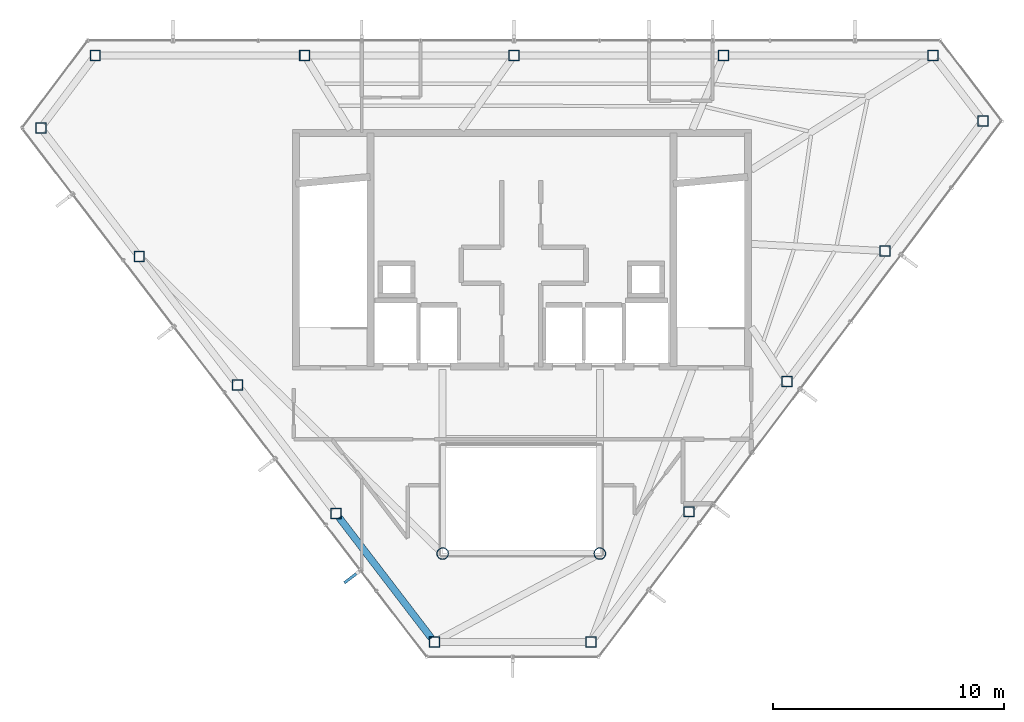
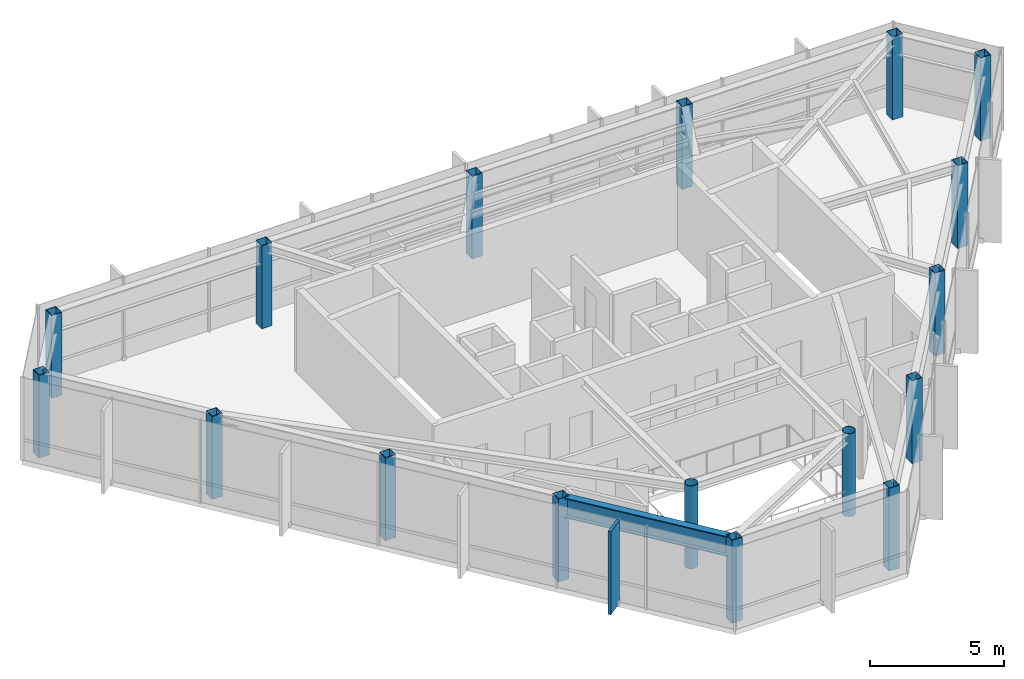
# One storey, part 1 of 21: 17 columns, 1 beam, 1 member, 1 element without a shape of its own.
"""IFC4 building model written with IfcOpenShell, lengths in metres."""

from ifc_helpers import new_model, si_unit, direction, frame, origin, origin_2d, place, context, subcontext, project, spatial, rectangle, hollow_rectangle, hollow_circle, i_section, extrude, material, layer, layer_set, material_profile, profile_set, type_object, element, aggregate, save


model = new_model("IFC4")

# Units and contexts
model_context = context("Model", 3, precision=1e-05, world=origin(), true_north=direction((0.0, 1.0)))
body_context = subcontext(model_context, "Body", "Model", "MODEL_VIEW")
ifc_project = project(units=[si_unit("LENGTHUNIT", "METRE"), si_unit("AREAUNIT", "SQUARE_METRE"), si_unit("VOLUMEUNIT", "CUBIC_METRE"), si_unit("PLANEANGLEUNIT", "RADIAN"), si_unit("MASSUNIT", "GRAM", prefix="KILO")], contexts=[model_context])

# Site, building, storey
site_placement = place(None, origin())
site = spatial("IfcSite", under=ifc_project, at=site_placement, CompositionType="ELEMENT")
building_placement = place(site_placement, origin())
building = spatial("IfcBuilding", under=site, at=building_placement, Name="Zarrinselat Tower", CompositionType="ELEMENT")
storey_placement = place(building_placement, frame((0.0, 0.0, 299.199951171875)))
storey = spatial("IfcBuildingStorey", under=building, at=storey_placement, Name="L77", CompositionType="ELEMENT", Elevation=299.199951171875)

# Columns
ifc_material_1 = material(Name="Steel S355J2", Category="steel")
ifc_material_profile_1 = material_profile(ifc_material_1, hollow_circle(Radius=0.25390625, WallThickness=0.02001953125, at=origin_2d()), Name="CHS 508x20")
ifc_profile_set_1 = profile_set([ifc_material_profile_1], Name="Steel S355J2")
column_type_1 = type_object("IfcColumnType", Name="COL-CHS508", PredefinedType="COLUMN", material=ifc_profile_set_1)
for number, where, z_axis, x_axis, name in (
    (1, (35.0, 25.199951171875, 0.0), (0.0, 0.0, 1.0), (1.0, 0.0, 0.0), "L77 Atrium Corner Column 1"),
    (2, (41.800048828125, 25.199951171875, 0.0), (0.0, 0.0, 1.0), (1.0, 0.0, 0.0), "L77 Atrium Corner Column 2"),
):
    element("IfcColumn", number, at=place(storey_placement, frame(where, z_axis=z_axis, x_axis=x_axis)), inside=storey, type_object=column_type_1, Name=name, PredefinedType="COLUMN", context=body_context, shape_type="SweptSolid", body=[
        extrude(hollow_circle(Radius=0.25390625, WallThickness=0.02001953125, at=origin_2d()), origin(), (0.0, 0.0, 1.0), 3.780029296875),
    ])
ifc_material_2 = material(Name="Steel S355J2", Category="steel")
ifc_material_profile_2 = material_profile(ifc_material_2, hollow_rectangle(XDim=0.449951171875, YDim=0.449951171875, WallThickness=0.02197265625, at=origin_2d()), Name="SHS 450x450x22")
ifc_profile_set_2 = profile_set([ifc_material_profile_2], Name="Steel S355J2")
column_type_2 = type_object("IfcColumnType", Name="COL-SHS450", PredefinedType="COLUMN", material=ifc_profile_set_2)
for number, where, z_axis, x_axis, name in (
    (3, (56.2099609375, 46.75, 0.0), (0.0, 0.0, 1.0), (1.0, 0.0, 0.0), "L77 Framed-Tube Column T01"),
    (4, (47.150634765625, 46.75, 0.0), (0.0, 0.0, 1.0), (1.0, 0.0, 0.0), "L77 Framed-Tube Column T02"),
    (5, (38.09130859375, 46.75, 0.0), (0.0, 0.0, 1.0), (1.0, 0.0, 0.0), "L77 Framed-Tube Column T03"),
    (6, (29.031982421875, 46.75, 0.0), (0.0, 0.0, 1.0), (1.0, 0.0, 0.0), "L77 Framed-Tube Column T04"),
    (7, (19.97265625, 46.75, 0.0), (0.0, 0.0, 1.0), (1.0, 0.0, 0.0), "L77 Framed-Tube Column T05"),
    (8, (17.6162109375, 43.615234375, 0.0), (0.0, 0.0, 1.0), (1.0, 0.0, 0.0), "L77 Framed-Tube Column T06"),
    (9, (21.873291015625, 38.0546875, 0.0), (0.0, 0.0, 1.0), (1.0, 0.0, 0.0), "L77 Framed-Tube Column T07"),
    (10, (26.130615234375, 32.494384765625, 0.0), (0.0, 0.0, 1.0), (1.0, 0.0, 0.0), "L77 Framed-Tube Column T08"),
    (11, (30.3876953125, 26.933837890625, 0.0), (0.0, 0.0, 1.0), (1.0, 0.0, 0.0), "L77 Framed-Tube Column T09"),
    (12, (34.644775390625, 21.373291015625, 0.0), (0.0, 0.0, 1.0), (1.0, 0.0, 0.0), "L77 Framed-Tube Column T10"),
    (13, (41.423583984375, 21.373291015625, 0.0), (0.0, 0.0, 1.0), (1.0, 0.0, 0.0), "L77 Framed-Tube Column T11"),
    (14, (45.6611328125, 27.010986328125, 0.0), (0.0, 0.0, 1.0), (1.0, 0.0, 0.0), "L77 Framed-Tube Column T12"),
    (15, (49.898681640625, 32.6484375, 0.0), (0.0, 0.0, 1.0), (1.0, 0.0, 0.0), "L77 Framed-Tube Column T13"),
    (16, (54.13623046875, 38.2861328125, 0.0), (0.0, 0.0, 1.0), (1.0, 0.0, 0.0), "L77 Framed-Tube Column T14"),
    (17, (58.373779296875, 43.923583984375, 0.0), (0.0, 0.0, 1.0), (1.0, 0.0, 0.0), "L77 Framed-Tube Column T15"),
):
    element("IfcColumn", number, at=place(storey_placement, frame(where, z_axis=z_axis, x_axis=x_axis)), inside=storey, type_object=column_type_2, Name=name, PredefinedType="COLUMN", context=body_context, shape_type="SweptSolid", body=[
        extrude(hollow_rectangle(XDim=0.449951171875, YDim=0.449951171875, WallThickness=0.02197265625, at=origin_2d()), origin(), (0.0, 0.0, 1.0), 3.780029296875),
    ])

# Beam
ifc_material_3 = material(Name="Steel S460M", Category="steel")
ifc_material_profile_3 = material_profile(ifc_material_3, i_section(OverallWidth=0.302001953125, OverallDepth=0.909912109375, WebThickness=0.02099609375, FlangeThickness=0.0400390625, at=origin_2d()), Name="HEM 900")
ifc_profile_set_3 = profile_set([ifc_material_profile_3], Name="Steel S460M")
beam_type = type_object("IfcBeamType", Name="BM-HEM900", PredefinedType="BEAM", material=ifc_profile_set_3)
beam_placement = place(storey_placement, frame((30.51708984375, 26.7646484375, 3.324951171875), z_axis=(0.607893681854, -0.794018432759, 0.0), x_axis=(0.794018432759, 0.607893681854, 0.0)))
element("IfcBeam", 18, at=beam_placement, inside=storey, type_object=beam_type, Name="L77 Perimeter Spandrel Girder SP09", PredefinedType="BEAM", context=body_context, shape_type="SweptSolid", body=[
    extrude(i_section(OverallWidth=0.302001953125, OverallDepth=0.909912109375, WebThickness=0.02099609375, FlangeThickness=0.0400390625, at=origin_2d()), origin(), (0.0, 0.0, 1.0), 6.576904296875),
])

# Curtain wall, member
ifc_material_4 = material(Name="Extruded Aluminium Alloy EN AW-6063 T6", Category="aluminium")
ifc_layer = layer(ifc_material_4, 0.169921875)
ifc_layer_set = layer_set([ifc_layer], Name="Extruded Aluminium Alloy EN AW-6063 T6")
curtain_wall_type = type_object("IfcCurtainWallType", Name="CWS-RES", PredefinedType="NOTDEFINED", material=ifc_layer_set)
curtain_wall_placement = place(storey_placement, origin())
curtain_wall = element("IfcCurtainWall", 19, at=curtain_wall_placement, inside=storey, type_object=curtain_wall_type, Name="L77 Unitised Curtain Wall CW-L77-E03", PredefinedType="NOTDEFINED")
ifc_material_5 = material(Name="Honed Cream Travertine Stone", Category="masonry")
ifc_material_profile_4 = material_profile(ifc_material_5, rectangle(XDim=0.1201171875, YDim=0.85009765625, at=origin_2d()), Name="FIN 850x120")
ifc_profile_set_4 = profile_set([ifc_material_profile_4], Name="Honed Cream Travertine Stone")
member_type = type_object("IfcMemberType", Name="MEM-STONE-FIN", PredefinedType="USERDEFINED", material=ifc_profile_set_4)
member_placement = place(storey_placement, frame((31.087158203125, 24.194091796875, 0.0), z_axis=(0.0, 0.0, 1.0), x_axis=(-0.607898371255, 0.794014842572, 0.0)))
member = element("IfcMember", 20, at=member_placement, type_object=member_type, Name="L77 Stone Shading Fin CW-L77-E03-07", ObjectType="FIN", PredefinedType="USERDEFINED", context=body_context, shape_type="SweptSolid", body=[
    extrude(rectangle(XDim=0.1201171875, YDim=0.85009765625, at=origin_2d()), origin(), (0.0, 0.0, 1.0), 3.780029296875),
])
aggregate(curtain_wall, [member])

save(model, "model.ifc")
